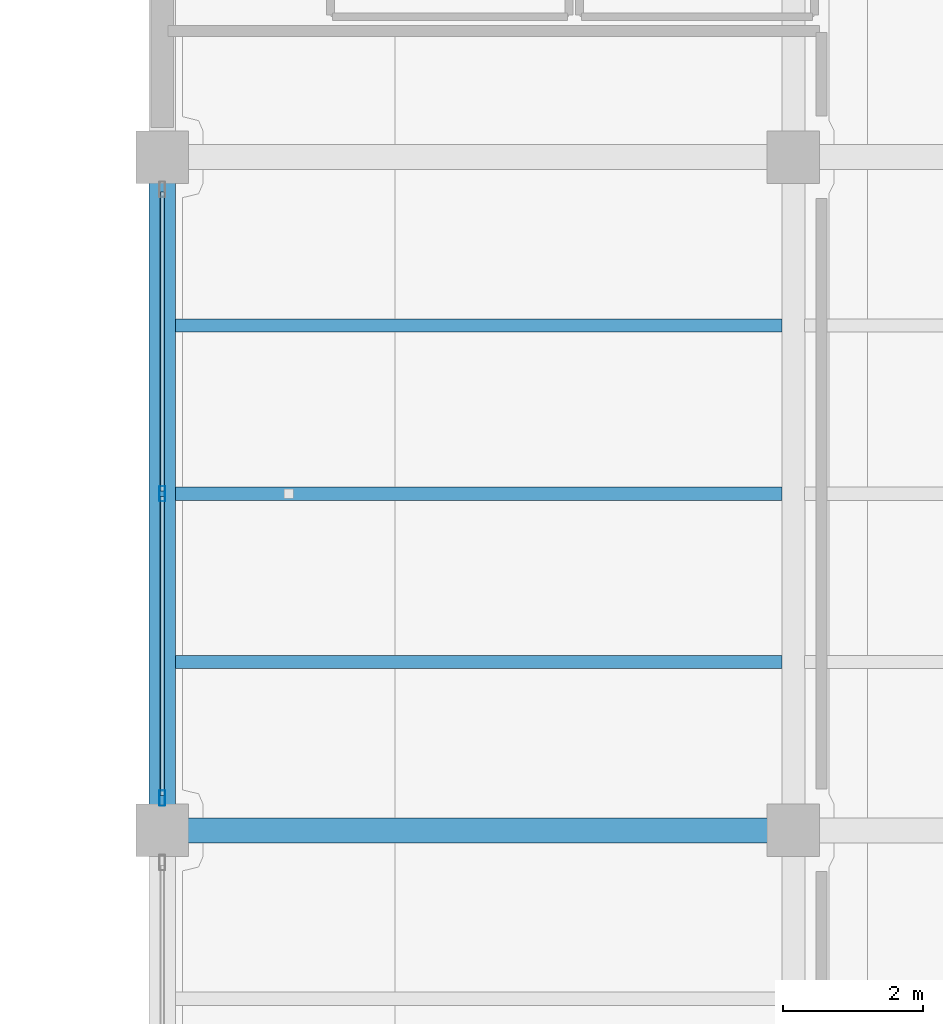
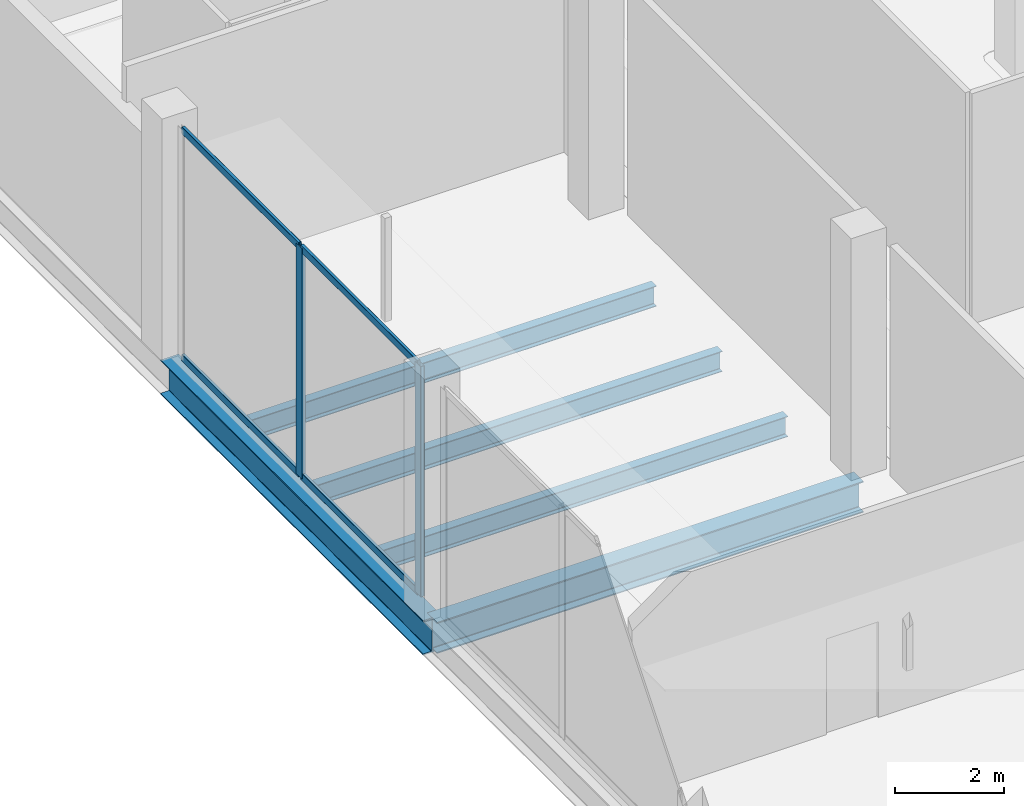
# One storey, part 11 of 47: 6 members, 5 beams, 1 element without a shape of its own.
"""IFC4 building model written with IfcOpenShell, lengths in metres."""

from ifc_helpers import new_model, si_unit, direction, frame, origin, origin_2d, place, context, subcontext, project, spatial, hollow_rectangle, i_section, extrude, material, layer, layer_set, material_profile, profile_set, type_object, element, aggregate, save


model = new_model("IFC4")

# Units and contexts
model_context = context("Model", 3, precision=1e-05, world=origin(), true_north=direction((0.0, 1.0)))
body_context = subcontext(model_context, "Body", "Model", "MODEL_VIEW")
ifc_project = project(units=[si_unit("LENGTHUNIT", "METRE"), si_unit("AREAUNIT", "SQUARE_METRE"), si_unit("VOLUMEUNIT", "CUBIC_METRE"), si_unit("PLANEANGLEUNIT", "RADIAN"), si_unit("MASSUNIT", "GRAM", prefix="KILO")], contexts=[model_context])

# Site, building, storey
site_placement = place(None, origin())
site = spatial("IfcSite", under=ifc_project, at=site_placement, CompositionType="ELEMENT")
building_placement = place(site_placement, origin())
building = spatial("IfcBuilding", under=site, at=building_placement, Name="Qorvath Tower", CompositionType="ELEMENT")
storey_placement = place(building_placement, frame((0.0, 0.0, 6.60009765625)))
storey = spatial("IfcBuildingStorey", under=building, at=storey_placement, Name="L01", CompositionType="ELEMENT", Elevation=6.60009765625)

# Beams
ifc_material_1 = material(Name="Steel ASTM A992 Grade 50", Category="steel")
ifc_material_profile_1 = material_profile(ifc_material_1, i_section(OverallWidth=0.381103515625, OverallDepth=0.77294921875, WebThickness=0.0166015625, FlangeThickness=0.027099609375, FilletRadius=0.01904296875, at=origin_2d()), Name="W30x173")
ifc_profile_set_1 = profile_set([ifc_material_profile_1], Name="Steel ASTM A992 Grade 50")
beam_type_1 = type_object("IfcBeamType", Name="BM-FG3", PredefinedType="BEAM", material=ifc_profile_set_1)
beam_1_placement = place(storey_placement, frame((32.39990234375, 9.60009765625, -0.646484375), z_axis=(0.0, 1.0, 0.0), x_axis=(-1.0, 0.0, 0.0)))
element("IfcBeam", 1, at=beam_1_placement, inside=storey, type_object=beam_type_1, Name="Library N-S Girder L01-1-6", PredefinedType="BEAM", context=body_context, shape_type="SweptSolid", body=[
    extrude(i_section(OverallWidth=0.381103515625, OverallDepth=0.77294921875, WebThickness=0.0166015625, FlangeThickness=0.027099609375, FilletRadius=0.01904296875, at=origin_2d()), origin(), (0.0, 0.0, 1.0), 9.599853515625),
])
ifc_material_2 = material(Name="Steel ASTM A992 Grade 50", Category="steel")
ifc_material_profile_2 = material_profile(ifc_material_2, i_section(OverallWidth=0.35595703125, OverallDepth=0.696044921875, WebThickness=0.015380859375, FlangeThickness=0.02490234375, FilletRadius=0.01806640625, at=origin_2d()), Name="W27x146")
ifc_profile_set_2 = profile_set([ifc_material_profile_2], Name="Steel ASTM A992 Grade 50")
beam_type_2 = type_object("IfcBeamType", Name="BM-FG4", PredefinedType="BEAM", material=ifc_profile_set_2)
beam_2_placement = place(storey_placement, frame((32.39990234375, 9.60009765625, -0.60791015625), z_axis=(1.0, 0.0, 0.0), x_axis=(0.0, 1.0, 0.0)))
element("IfcBeam", 2, at=beam_2_placement, inside=storey, type_object=beam_type_2, Name="Library E-W Girder L01-6-1", PredefinedType="BEAM", context=body_context, shape_type="SweptSolid", body=[
    extrude(i_section(OverallWidth=0.35595703125, OverallDepth=0.696044921875, WebThickness=0.015380859375, FlangeThickness=0.02490234375, FilletRadius=0.01806640625, at=origin_2d()), origin(), (0.0, 0.0, 1.0), 9.0),
])
ifc_material_3 = material(Name="Steel ASTM A992 Grade 50", Category="steel")
ifc_material_profile_3 = material_profile(ifc_material_3, i_section(OverallWidth=0.18994140625, OverallDepth=0.45703125, WebThickness=0.009033203125, FlangeThickness=0.014404296875, FilletRadius=0.011962890625, at=origin_2d()), Name="W18x50")
ifc_profile_set_3 = profile_set([ifc_material_profile_3], Name="Steel ASTM A992 Grade 50")
beam_type_3 = type_object("IfcBeamType", Name="BM-FJ2", PredefinedType="JOIST", material=ifc_profile_set_3)
for number, where, z_axis, x_axis, name in (
    (3, (32.58837890625, 12.0, -0.488525390625), (1.0, 0.0, 0.0), (0.0, 1.0, 0.0), "Library Stack Joist L01-6.1-1"),
    (4, (32.58837890625, 14.39990234375, -0.488525390625), (1.0, 0.0, 0.0), (0.0, 1.0, 0.0), "Library Stack Joist L01-6.2-1"),
    (5, (32.58837890625, 16.800048828125, -0.488525390625), (1.0, 0.0, 0.0), (0.0, 1.0, 0.0), "Library Stack Joist L01-6.3-1"),
):
    element("IfcBeam", number, at=place(storey_placement, frame(where, z_axis=z_axis, x_axis=x_axis)), inside=storey, type_object=beam_type_3, Name=name, PredefinedType="JOIST", context=body_context, shape_type="SweptSolid", body=[
        extrude(i_section(OverallWidth=0.18994140625, OverallDepth=0.45703125, WebThickness=0.009033203125, FlangeThickness=0.014404296875, FilletRadius=0.011962890625, at=origin_2d()), origin(), (0.0, 0.0, 1.0), 8.651123046875),
    ])

# Curtain wall, members
ifc_material_4 = material(Name="Anodised aluminium and triple low-E glass", Category="aluminium")
ifc_layer = layer(ifc_material_4, 0.179931640625)
ifc_layer_set = layer_set([ifc_layer], Name="CW-SYS-6")
curtain_wall_type = type_object("IfcCurtainWallType", Name="CW-SYS-6", PredefinedType="NOTDEFINED", material=ifc_layer_set)
curtain_wall_placement = place(storey_placement, origin())
curtain_wall = element("IfcCurtainWall", 6, at=curtain_wall_placement, inside=storey, type_object=curtain_wall_type, Name="Curtain Wall CW-6 CW-LIB-W-L01-6", PredefinedType="NOTDEFINED")
ifc_material_5 = material(Name="Anodised aluminium 6063-T6", Category="aluminium")
ifc_material_profile_4 = material_profile(ifc_material_5, hollow_rectangle(XDim=0.080078125, YDim=0.219970703125, WallThickness=0.00439453125, InnerFilletRadius=0.00439453125, OuterFilletRadius=0.009033203125, at=origin_2d()), Name="CWM LIB 220x80")
ifc_profile_set_4 = profile_set([ifc_material_profile_4], Name="Anodised aluminium 6063-T6")
member_type_1 = type_object("IfcMemberType", Name="CWM-LIB", PredefinedType="MULLION", material=ifc_profile_set_4)
member_1_placement = place(storey_placement, frame((32.39990234375, 10.06005859375, 0.0), z_axis=(0.0, 0.0, 1.0), x_axis=(-1.0, 0.0, 0.0)))
member_1 = element("IfcMember", 7, at=member_1_placement, type_object=member_type_1, Name="CW-6 mullion 1", PredefinedType="MULLION", context=body_context, shape_type="SweptSolid", body=[
    extrude(hollow_rectangle(XDim=0.080078125, YDim=0.219970703125, WallThickness=0.00439453125, InnerFilletRadius=0.00439453125, OuterFilletRadius=0.009033203125, at=origin_2d()), origin(), (0.0, 0.0, 1.0), 5.139892578125),
])
member_2_placement = place(storey_placement, frame((32.39990234375, 14.39990234375, 0.0), z_axis=(0.0, 0.0, 1.0), x_axis=(-1.0, 0.0, 0.0)))
member_2 = element("IfcMember", 8, at=member_2_placement, type_object=member_type_1, Name="CW-6 mullion 2", PredefinedType="MULLION", context=body_context, shape_type="SweptSolid", body=[
    extrude(hollow_rectangle(XDim=0.080078125, YDim=0.219970703125, WallThickness=0.00439453125, InnerFilletRadius=0.00439453125, OuterFilletRadius=0.009033203125, at=origin_2d()), origin(), (0.0, 0.0, 1.0), 5.139892578125),
])
ifc_material_6 = material(Name="Anodised aluminium 6063-T6", Category="aluminium")
ifc_material_profile_5 = material_profile(ifc_material_6, hollow_rectangle(XDim=0.06494140625, YDim=0.159912109375, WallThickness=0.00341796875, InnerFilletRadius=0.00341796875, OuterFilletRadius=0.007080078125, at=origin_2d()), Name="CWT 160x65")
ifc_profile_set_5 = profile_set([ifc_material_profile_5], Name="Anodised aluminium 6063-T6")
member_type_2 = type_object("IfcMemberType", Name="CWT-160", PredefinedType="USERDEFINED", material=ifc_profile_set_5)
member_3_placement = place(storey_placement, frame((32.39990234375, 10.10009765625, 0.032470703125), z_axis=(0.0, 1.0, 0.0), x_axis=(-1.0, 0.0, 0.0)))
member_3 = element("IfcMember", 9, at=member_3_placement, type_object=member_type_2, Name="CW-6 transom 1.1", ObjectType="TRANSOM", PredefinedType="USERDEFINED", context=body_context, shape_type="SweptSolid", body=[
    extrude(hollow_rectangle(XDim=0.06494140625, YDim=0.159912109375, WallThickness=0.00341796875, InnerFilletRadius=0.00341796875, OuterFilletRadius=0.007080078125, at=origin_2d()), origin(), (0.0, 0.0, 1.0), 4.260009765625),
])
member_4_placement = place(storey_placement, frame((32.39990234375, 10.10009765625, 5.107421875), z_axis=(0.0, 1.0, 0.0), x_axis=(-1.0, 0.0, 0.0)))
member_4 = element("IfcMember", 10, at=member_4_placement, type_object=member_type_2, Name="CW-6 transom 1.2", ObjectType="TRANSOM", PredefinedType="USERDEFINED", context=body_context, shape_type="SweptSolid", body=[
    extrude(hollow_rectangle(XDim=0.06494140625, YDim=0.159912109375, WallThickness=0.00341796875, InnerFilletRadius=0.00341796875, OuterFilletRadius=0.007080078125, at=origin_2d()), origin(), (0.0, 0.0, 1.0), 4.260009765625),
])
member_5_placement = place(storey_placement, frame((32.39990234375, 14.43994140625, 0.032470703125), z_axis=(0.0, 1.0, 0.0), x_axis=(-1.0, 0.0, 0.0)))
member_5 = element("IfcMember", 11, at=member_5_placement, type_object=member_type_2, Name="CW-6 transom 2.1", ObjectType="TRANSOM", PredefinedType="USERDEFINED", context=body_context, shape_type="SweptSolid", body=[
    extrude(hollow_rectangle(XDim=0.06494140625, YDim=0.159912109375, WallThickness=0.00341796875, InnerFilletRadius=0.00341796875, OuterFilletRadius=0.007080078125, at=origin_2d()), origin(), (0.0, 0.0, 1.0), 4.260009765625),
])
member_6_placement = place(storey_placement, frame((32.39990234375, 14.43994140625, 5.107421875), z_axis=(0.0, 1.0, 0.0), x_axis=(-1.0, 0.0, 0.0)))
member_6 = element("IfcMember", 12, at=member_6_placement, type_object=member_type_2, Name="CW-6 transom 2.2", ObjectType="TRANSOM", PredefinedType="USERDEFINED", context=body_context, shape_type="SweptSolid", body=[
    extrude(hollow_rectangle(XDim=0.06494140625, YDim=0.159912109375, WallThickness=0.00341796875, InnerFilletRadius=0.00341796875, OuterFilletRadius=0.007080078125, at=origin_2d()), origin(), (0.0, 0.0, 1.0), 4.260009765625),
])
aggregate(curtain_wall, [member_1, member_2, member_3, member_4, member_5, member_6])

save(model, "model.ifc")
